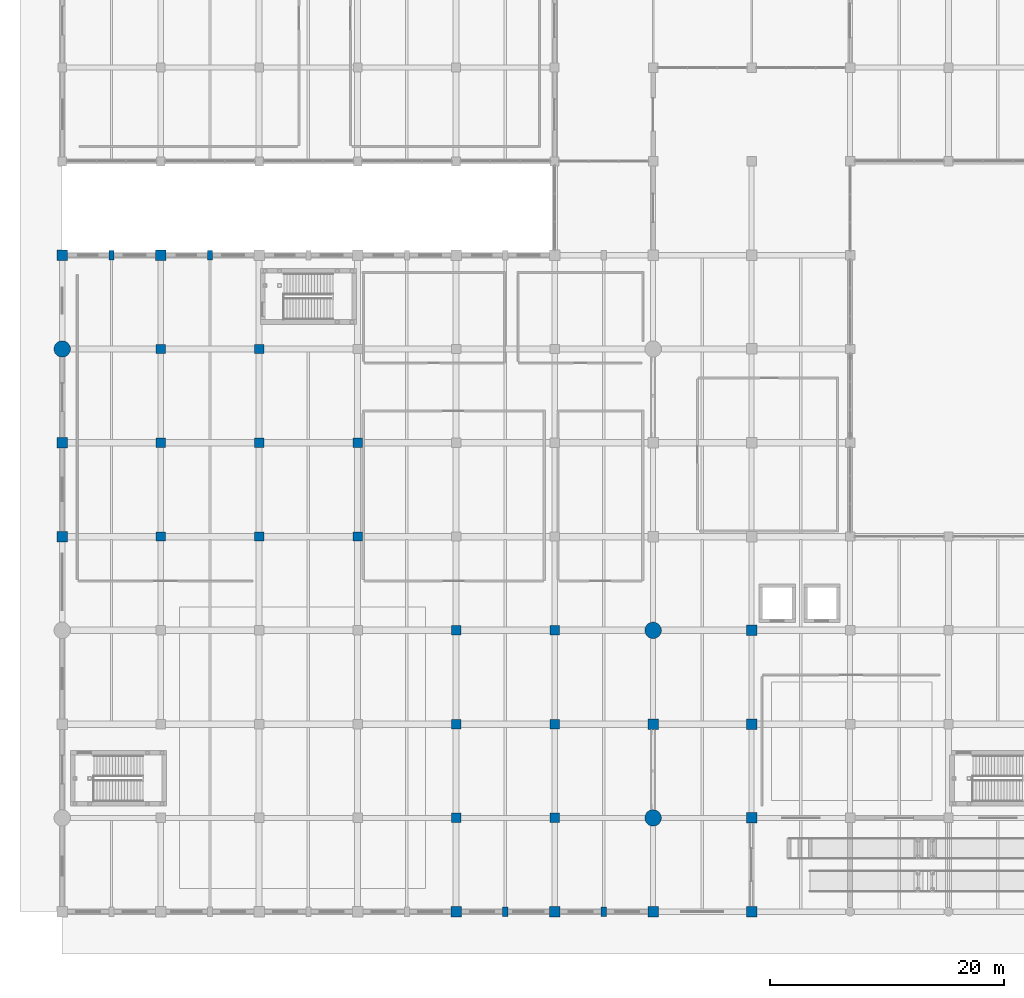
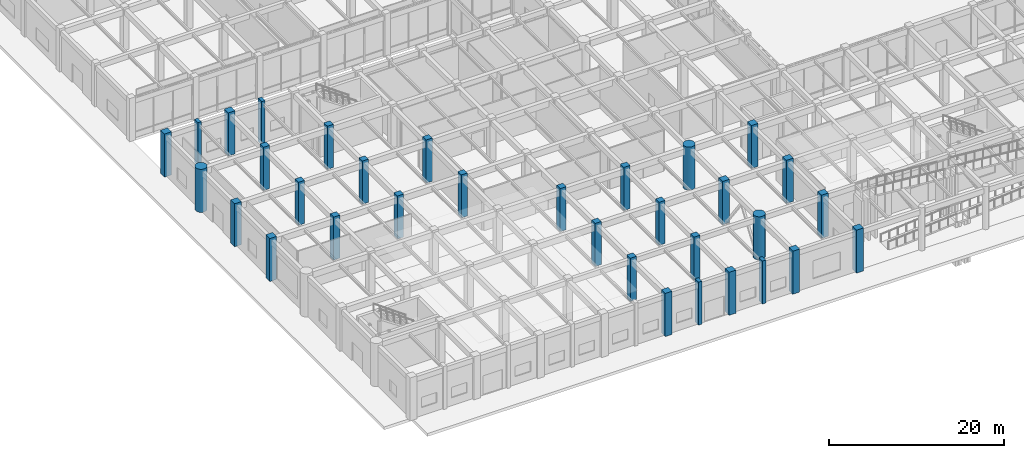
# One storey, part 2 of 76: 33 columns.
"""IFC4 building model written with IfcOpenShell, lengths in metres."""

from ifc_helpers import new_model, si_unit, direction, frame, origin, origin_2d, place, context, subcontext, project, spatial, rectangle, circle, extrude, material, material_profile, profile_set, type_object, element, save


model = new_model("IFC4")

# Units and contexts
model_context = context("Model", 3, precision=1e-05, world=origin(), true_north=direction((0.0, 1.0)))
body_context = subcontext(model_context, "Body", "Model", "MODEL_VIEW")
ifc_project = project(units=[si_unit("LENGTHUNIT", "METRE"), si_unit("AREAUNIT", "SQUARE_METRE"), si_unit("VOLUMEUNIT", "CUBIC_METRE"), si_unit("PLANEANGLEUNIT", "RADIAN"), si_unit("MASSUNIT", "GRAM", prefix="KILO")], contexts=[model_context])

# Site, building, storey
site_placement = place(None, origin())
site = spatial("IfcSite", under=ifc_project, at=site_placement, CompositionType="ELEMENT")
building_placement = place(site_placement, origin())
building = spatial("IfcBuilding", under=site, at=building_placement, Name="Naruveol Harbour Congress Hotel", CompositionType="ELEMENT")
storey_placement = place(building_placement, origin())
storey = spatial("IfcBuildingStorey", under=building, at=storey_placement, Name="L00", CompositionType="ELEMENT", Elevation=0.0)

# Columns
ifc_material_1 = material(Name="Concrete C50/60", Category="concrete")
ifc_material_profile_1 = material_profile(ifc_material_1, rectangle(XDim=0.449951171875, YDim=0.800048828125, at=origin_2d()), Name="RC-450x800")
ifc_profile_set_1 = profile_set([ifc_material_profile_1], Name="Concrete C50/60")
column_type_1 = type_object("IfcColumnType", Name="RC ACOUSTIC WALL PILASTER 450X800", PredefinedType="PILASTER", material=ifc_profile_set_1)
for number, where, z_axis, x_axis, name in (
    (1, (4.199951171875, 56.0, 0.0), (0.0, 0.0, 1.0), (1.0, 0.0, 0.0), "Column PL-450 L00 (4.2,56.0)"),
    (2, (12.60009765625, 56.0, 0.0), (0.0, 0.0, 1.0), (1.0, 0.0, 0.0), "Column PL-450 L00 (12.6,56.0)"),
    (3, (37.800048828125, 0.0, 0.0), (0.0, 0.0, 1.0), (1.0, 0.0, 0.0), "Column PL-450 L00 (37.8,0.0)"),
    (4, (46.199951171875, 0.0, 0.0), (0.0, 0.0, 1.0), (1.0, 0.0, 0.0), "Column PL-450 L00 (46.2,0.0)"),
):
    element("IfcColumn", number, at=place(storey_placement, frame(where, z_axis=z_axis, x_axis=x_axis)), inside=storey, type_object=column_type_1, Name=name, PredefinedType="PILASTER", context=body_context, shape_type="SweptSolid", body=[
        extrude(rectangle(XDim=0.449951171875, YDim=0.800048828125, at=origin_2d()), origin(), (0.0, 0.0, 1.0), 6.0),
    ])
ifc_material_2 = material(Name="Concrete C50/60", Category="concrete")
ifc_material_profile_2 = material_profile(ifc_material_2, circle(Radius=0.699951171875, at=origin_2d()), Name="RC-D1400")
ifc_profile_set_2 = profile_set([ifc_material_profile_2], Name="Concrete C50/60")
column_type_2 = type_object("IfcColumnType", Name="RC MEGA COLUMN D1400", PredefinedType="COLUMN", material=ifc_profile_set_2)
for number, where, z_axis, x_axis, name in (
    (5, (0.0, 48.0, 0.0), (0.0, 0.0, 1.0), (1.0, 0.0, 0.0), "Column C-MD1400 L00 (0.0,48.0)"),
    (6, (50.39990234375, 8.0, 0.0), (0.0, 0.0, 1.0), (1.0, 0.0, 0.0), "Column C-MD1400 L00 (50.4,8.0)"),
    (7, (50.39990234375, 24.0, 0.0), (0.0, 0.0, 1.0), (1.0, 0.0, 0.0), "Column C-MD1400 L00 (50.4,24.0)"),
):
    element("IfcColumn", number, at=place(storey_placement, frame(where, z_axis=z_axis, x_axis=x_axis)), inside=storey, type_object=column_type_2, Name=name, PredefinedType="COLUMN", context=body_context, shape_type="SweptSolid", body=[
        extrude(circle(Radius=0.699951171875, at=origin_2d()), origin(), (0.0, 0.0, 1.0), 6.0),
    ])
ifc_material_3 = material(Name="Concrete C50/60", Category="concrete")
ifc_material_profile_3 = material_profile(ifc_material_3, rectangle(XDim=0.800048828125, YDim=0.800048828125, at=origin_2d()), Name="RC-800x800")
ifc_profile_set_3 = profile_set([ifc_material_profile_3], Name="Concrete C50/60")
column_type_3 = type_object("IfcColumnType", Name="RC PODIUM COLUMN 800X800", PredefinedType="COLUMN", material=ifc_profile_set_3)
for number, where, z_axis, x_axis, name in (
    (8, (8.39990234375, 32.0, 0.0), (0.0, 0.0, 1.0), (1.0, 0.0, 0.0), "Column C-800 L00 (8.4,32.0)"),
    (9, (8.39990234375, 40.0, 0.0), (0.0, 0.0, 1.0), (1.0, 0.0, 0.0), "Column C-800 L00 (8.4,40.0)"),
    (10, (8.39990234375, 48.0, 0.0), (0.0, 0.0, 1.0), (1.0, 0.0, 0.0), "Column C-800 L00 (8.4,48.0)"),
    (11, (16.800048828125, 32.0, 0.0), (0.0, 0.0, 1.0), (1.0, 0.0, 0.0), "Column C-800 L00 (16.8,32.0)"),
    (12, (16.800048828125, 40.0, 0.0), (0.0, 0.0, 1.0), (1.0, 0.0, 0.0), "Column C-800 L00 (16.8,40.0)"),
    (13, (16.800048828125, 48.0, 0.0), (0.0, 0.0, 1.0), (1.0, 0.0, 0.0), "Column C-800 L00 (16.8,48.0)"),
    (14, (25.199951171875, 32.0, 0.0), (0.0, 0.0, 1.0), (1.0, 0.0, 0.0), "Column C-800 L00 (25.2,32.0)"),
    (15, (25.199951171875, 40.0, 0.0), (0.0, 0.0, 1.0), (1.0, 0.0, 0.0), "Column C-800 L00 (25.2,40.0)"),
    (16, (33.60009765625, 8.0, 0.0), (0.0, 0.0, 1.0), (1.0, 0.0, 0.0), "Column C-800 L00 (33.6,8.0)"),
    (17, (33.60009765625, 16.0, 0.0), (0.0, 0.0, 1.0), (1.0, 0.0, 0.0), "Column C-800 L00 (33.6,16.0)"),
    (18, (33.60009765625, 24.0, 0.0), (0.0, 0.0, 1.0), (1.0, 0.0, 0.0), "Column C-800 L00 (33.6,24.0)"),
    (19, (42.0, 8.0, 0.0), (0.0, 0.0, 1.0), (1.0, 0.0, 0.0), "Column C-800 L00 (42.0,8.0)"),
    (20, (42.0, 16.0, 0.0), (0.0, 0.0, 1.0), (1.0, 0.0, 0.0), "Column C-800 L00 (42.0,16.0)"),
    (21, (42.0, 24.0, 0.0), (0.0, 0.0, 1.0), (1.0, 0.0, 0.0), "Column C-800 L00 (42.0,24.0)"),
):
    element("IfcColumn", number, at=place(storey_placement, frame(where, z_axis=z_axis, x_axis=x_axis)), inside=storey, type_object=column_type_3, Name=name, PredefinedType="COLUMN", context=body_context, shape_type="SweptSolid", body=[
        extrude(rectangle(XDim=0.800048828125, YDim=0.800048828125, at=origin_2d()), origin(), (0.0, 0.0, 1.0), 6.0),
    ])
ifc_material_4 = material(Name="Concrete C50/60", Category="concrete")
ifc_material_profile_4 = material_profile(ifc_material_4, rectangle(XDim=0.89990234375, YDim=0.89990234375, at=origin_2d()), Name="RC-900x900")
ifc_profile_set_4 = profile_set([ifc_material_profile_4], Name="Concrete C50/60")
column_type_4 = type_object("IfcColumnType", Name="RC PRIMARY COLUMN 900X900", PredefinedType="COLUMN", material=ifc_profile_set_4)
for number, where, z_axis, x_axis, name in (
    (22, (0.0, 32.0, 0.0), (0.0, 0.0, 1.0), (1.0, 0.0, 0.0), "Column C-900 L00 (0.0,32.0)"),
    (23, (0.0, 40.0, 0.0), (0.0, 0.0, 1.0), (1.0, 0.0, 0.0), "Column C-900 L00 (0.0,40.0)"),
    (24, (0.0, 56.0, 0.0), (0.0, 0.0, 1.0), (1.0, 0.0, 0.0), "Column C-900 L00 (0.0,56.0)"),
    (25, (8.39990234375, 56.0, 0.0), (0.0, 0.0, 1.0), (1.0, 0.0, 0.0), "Column C-900 L00 (8.4,56.0)"),
    (26, (33.60009765625, 0.0, 0.0), (0.0, 0.0, 1.0), (1.0, 0.0, 0.0), "Column C-900 L00 (33.6,0.0)"),
    (27, (42.0, 0.0, 0.0), (0.0, 0.0, 1.0), (1.0, 0.0, 0.0), "Column C-900 L00 (42.0,0.0)"),
    (28, (50.39990234375, 0.0, 0.0), (0.0, 0.0, 1.0), (1.0, 0.0, 0.0), "Column C-900 L00 (50.4,0.0)"),
    (29, (50.39990234375, 16.0, 0.0), (0.0, 0.0, 1.0), (1.0, 0.0, 0.0), "Column C-900 L00 (50.4,16.0)"),
    (30, (58.800048828125, 0.0, 0.0), (0.0, 0.0, 1.0), (1.0, 0.0, 0.0), "Column C-900 L00 (58.8,0.0)"),
    (31, (58.800048828125, 8.0, 0.0), (0.0, 0.0, 1.0), (1.0, 0.0, 0.0), "Column C-900 L00 (58.8,8.0)"),
    (32, (58.800048828125, 16.0, 0.0), (0.0, 0.0, 1.0), (1.0, 0.0, 0.0), "Column C-900 L00 (58.8,16.0)"),
    (33, (58.800048828125, 24.0, 0.0), (0.0, 0.0, 1.0), (1.0, 0.0, 0.0), "Column C-900 L00 (58.8,24.0)"),
):
    element("IfcColumn", number, at=place(storey_placement, frame(where, z_axis=z_axis, x_axis=x_axis)), inside=storey, type_object=column_type_4, Name=name, PredefinedType="COLUMN", context=body_context, shape_type="SweptSolid", body=[
        extrude(rectangle(XDim=0.89990234375, YDim=0.89990234375, at=origin_2d()), origin(), (0.0, 0.0, 1.0), 6.0),
    ])

save(model, "model.ifc")
